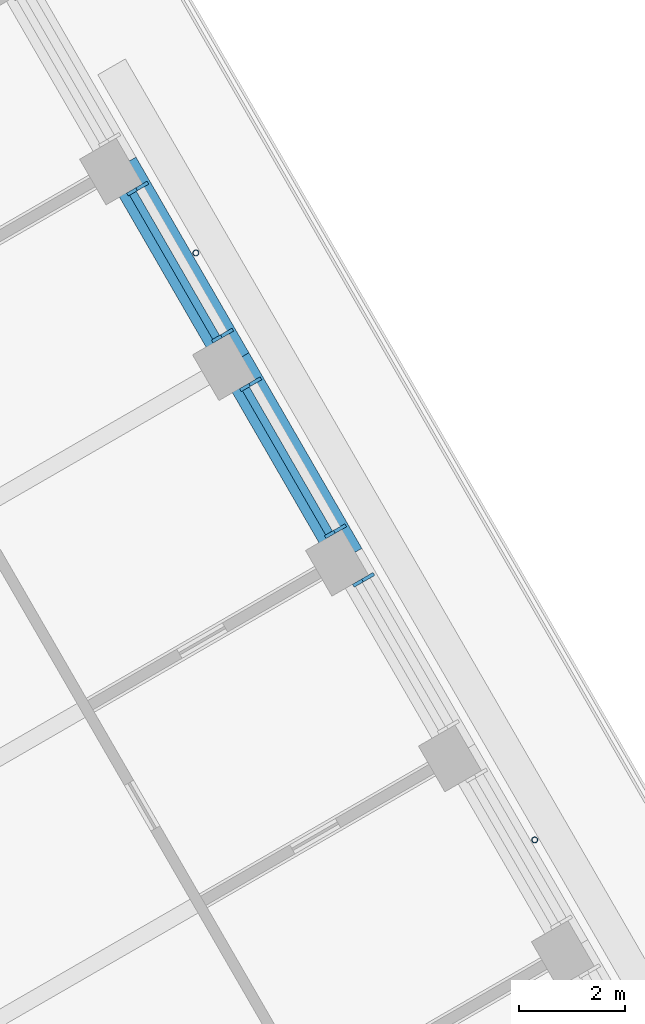
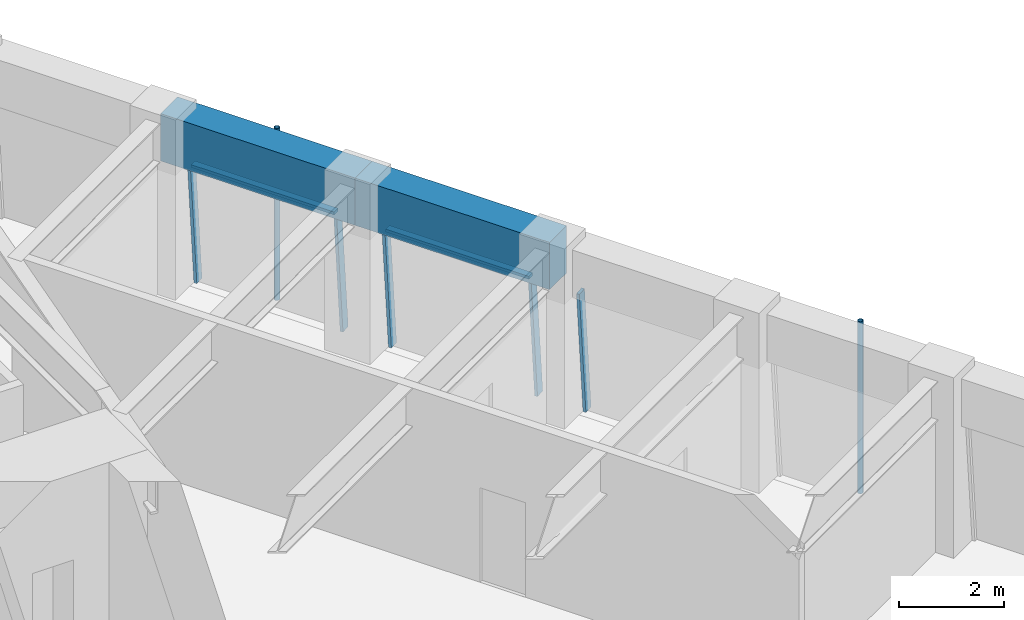
# One storey, part 10 of 19: 9 members, 2 beams, 3 elements without a shape of their own.
"""IFC4 building model written with IfcOpenShell, lengths in metres."""

from ifc_helpers import new_model, si_unit, direction, frame, origin, origin_2d, place, context, subcontext, project, spatial, rectangle, hollow_circle, extrude, material, material_profile, profile_set, type_object, element, aggregate, save


model = new_model("IFC4")

# Units and contexts
model_context = context("Model", 3, precision=1e-05, world=origin(), true_north=direction((0.0, 1.0)))
body_context = subcontext(model_context, "Body", "Model", "MODEL_VIEW")
ifc_project = project(units=[si_unit("LENGTHUNIT", "METRE"), si_unit("AREAUNIT", "SQUARE_METRE"), si_unit("VOLUMEUNIT", "CUBIC_METRE"), si_unit("PLANEANGLEUNIT", "RADIAN"), si_unit("MASSUNIT", "GRAM", prefix="KILO")], contexts=[model_context])

# Site, building, storey
site_placement = place(None, origin())
site = spatial("IfcSite", under=ifc_project, at=site_placement, CompositionType="ELEMENT")
building_placement = place(site_placement, origin())
building = spatial("IfcBuilding", under=site, at=building_placement, Name="Tarfa Lantern Tower", CompositionType="ELEMENT")
storey_placement = place(building_placement, frame((0.0, 0.0, 345.10009765625)))
storey = spatial("IfcBuildingStorey", under=building, at=storey_placement, Name="L78", CompositionType="ELEMENT", Elevation=345.10009765625)

# Curtain wall, member
ifc_material_1 = material(Name="Aluminium framed curtain wall", Category="aluminium")
curtain_wall_type = type_object("IfcCurtainWallType", Name="CW4 CANTED GLAZING EXECUTIVE ZONE 2900", PredefinedType="USERDEFINED", material=ifc_material_1)
curtain_wall_1_placement = place(storey_placement, origin())
curtain_wall_1 = element("IfcCurtainWall", 1, at=curtain_wall_1_placement, inside=storey, type_object=curtain_wall_type, Name="CW4 NE L78", ObjectType="CURTAIN WALL", PredefinedType="USERDEFINED")
ifc_material_2 = material(Name="Aluminium mullion", Category="aluminium")
ifc_material_profile_1 = material_profile(ifc_material_2, rectangle(XDim=0.06494140625, YDim=0.199951171875, at=origin_2d()), Name="AL MULLION 65x200")
ifc_profile_set_1 = profile_set([ifc_material_profile_1], Name="Aluminium mullion")
member_type_1 = type_object("IfcMemberType", Name="CWM1 MULLION 65x200", PredefinedType="MULLION", material=ifc_profile_set_1)
member_1_placement = place(storey_placement, frame((23.345947265625, 12.86376953125, 0.0), z_axis=(-0.074399820079, -0.042945555672, 0.996303340364), x_axis=(0.499919672301, -0.866071776036, 0.0)))
member_1 = element("IfcMember", 2, at=member_1_placement, type_object=member_type_1, Name="CW4 mullion 2", PredefinedType="MULLION", context=body_context, shape_type="SweptSolid", body=[
    extrude(rectangle(XDim=0.06494140625, YDim=0.199951171875, at=origin_2d()), origin(), (0.0, 0.0, 1.0), 2.91064453125),
])
aggregate(curtain_wall_1, [member_1])

# Curtain wall, members
curtain_wall_2_placement = place(storey_placement, origin())
curtain_wall_2 = element("IfcCurtainWall", 3, at=curtain_wall_2_placement, inside=storey, type_object=curtain_wall_type, Name="CW4 NE L78", ObjectType="CURTAIN WALL", PredefinedType="USERDEFINED")
member_2_placement = place(storey_placement, frame((22.813232421875, 13.7861328125, 0.0), z_axis=(-0.074316405553, -0.042945823525, 0.996309554359), x_axis=(0.500342721131, -0.865827443207, 0.0)))
member_2 = element("IfcMember", 4, at=member_2_placement, type_object=member_type_1, Name="CW4 mullion 1", PredefinedType="MULLION", context=body_context, shape_type="SweptSolid", body=[
    extrude(rectangle(XDim=0.06494140625, YDim=0.199951171875, at=origin_2d()), origin(), (0.0, 0.0, 1.0), 2.91064453125),
])
member_3_placement = place(storey_placement, frame((21.204833984375, 16.572265625, 0.0), z_axis=(-0.074399820079, -0.042945555672, 0.996303340364), x_axis=(0.499919672301, -0.866071776036, 0.0)))
member_3 = element("IfcMember", 5, at=member_3_placement, type_object=member_type_1, Name="CW4 mullion 2", PredefinedType="MULLION", context=body_context, shape_type="SweptSolid", body=[
    extrude(rectangle(XDim=0.06494140625, YDim=0.199951171875, at=origin_2d()), origin(), (0.0, 0.0, 1.0), 2.91064453125),
])

curtain_wall_3_placement = place(storey_placement, origin())
curtain_wall_3 = element("IfcCurtainWall", 6, at=curtain_wall_3_placement, inside=storey, type_object=curtain_wall_type, Name="CW4 NE L78", ObjectType="CURTAIN WALL", PredefinedType="USERDEFINED")
member_4_placement = place(storey_placement, frame((20.67236328125, 17.494384765625, 0.0), z_axis=(-0.074399820079, -0.042945555672, 0.996303340364), x_axis=(0.499919672301, -0.866071776036, 0.0)))
member_4 = element("IfcMember", 7, at=member_4_placement, type_object=member_type_1, Name="CW4 mullion 1", PredefinedType="MULLION", context=body_context, shape_type="SweptSolid", body=[
    extrude(rectangle(XDim=0.06494140625, YDim=0.199951171875, at=origin_2d()), origin(), (0.0, 0.0, 1.0), 2.91064453125),
])
member_5_placement = place(storey_placement, frame((19.063720703125, 20.280517578125, 0.0), z_axis=(-0.074316405553, -0.042945823525, 0.996309554359), x_axis=(0.500342721131, -0.865827443207, 0.0)))
member_5 = element("IfcMember", 8, at=member_5_placement, type_object=member_type_1, Name="CW4 mullion 2", PredefinedType="MULLION", context=body_context, shape_type="SweptSolid", body=[
    extrude(rectangle(XDim=0.06494140625, YDim=0.199951171875, at=origin_2d()), origin(), (0.0, 0.0, 1.0), 2.91064453125),
])

# Member
ifc_material_3 = material(Name="Aluminium transom", Category="aluminium")
ifc_material_profile_2 = material_profile(ifc_material_3, rectangle(XDim=0.14990234375, YDim=0.06494140625, at=origin_2d()), Name="AL TRANSOM 150x65")
ifc_profile_set_2 = profile_set([ifc_material_profile_2], Name="Aluminium transom")
member_type_2 = type_object("IfcMemberType", Name="CWT1 TRANSOM 150x65", PredefinedType="USERDEFINED", material=ifc_profile_set_2)
member_6_placement = place(storey_placement, frame((22.5830078125, 13.690673828125, 2.867431640625), z_axis=(-0.499979472441, 0.866037255052, 0.0), x_axis=(-0.866037255052, -0.499979472441, 0.0)))
member_6 = element("IfcMember", 9, at=member_6_placement, type_object=member_type_2, Name="CW4 transom 1.2", ObjectType="TRANSOM", PredefinedType="USERDEFINED", context=body_context, shape_type="SweptSolid", body=[
    extrude(rectangle(XDim=0.14990234375, YDim=0.06494140625, at=origin_2d()), origin(), (0.0, 0.0, 1.0), 3.152099609375),
])

aggregate(curtain_wall_2, [member_2, member_3, member_6])

member_7_placement = place(storey_placement, frame((20.44189453125, 17.39892578125, 2.867431640625), z_axis=(-0.499979472441, 0.866037255052, 0.0), x_axis=(-0.866037255052, -0.499979472441, 0.0)))
member_7 = element("IfcMember", 10, at=member_7_placement, type_object=member_type_2, Name="CW4 transom 1.2", ObjectType="TRANSOM", PredefinedType="USERDEFINED", context=body_context, shape_type="SweptSolid", body=[
    extrude(rectangle(XDim=0.14990234375, YDim=0.06494140625, at=origin_2d()), origin(), (0.0, 0.0, 1.0), 3.152099609375),
])

aggregate(curtain_wall_3, [member_4, member_5, member_7])

# Beams
ifc_material_4 = material(Name="Concrete C80/95", Category="concrete")
ifc_material_profile_3 = material_profile(ifc_material_4, rectangle(XDim=0.64990234375, YDim=1.10009765625, at=origin_2d()), Name="RC 650x1100")
ifc_profile_set_3 = profile_set([ifc_material_profile_3], Name="Concrete C80/95")
beam_type = type_object("IfcBeamType", Name="EB4 RC 650x1100", PredefinedType="SPANDREL", material=ifc_profile_set_3)
for number, where, z_axis, x_axis, name in (
    (11, (22.923583984375, 13.235107421875, 3.449951171875), (-0.499984039138, 0.866034618596, 0.0), (-0.866034618596, -0.499984039138, 0.0), "Edge beam NE3"),
    (12, (20.78271484375, 16.943359375, 3.449951171875), (-0.500026801138, 0.866009929587, 0.0), (-0.866009929587, -0.500026801138, 0.0), "Edge beam NE4"),
):
    element("IfcBeam", number, at=place(storey_placement, frame(where, z_axis=z_axis, x_axis=x_axis)), inside=storey, type_object=beam_type, Name=name, PredefinedType="SPANDREL", context=body_context, shape_type="SweptSolid", body=[
        extrude(rectangle(XDim=0.64990234375, YDim=1.10009765625, at=origin_2d()), origin(), (0.0, 0.0, 1.0), 4.281982421875),
    ])

# Members
ifc_material_5 = material(Name="Steel S355", Category="steel")
ifc_material_profile_4 = material_profile(ifc_material_5, hollow_circle(Radius=0.05712890625, WallThickness=0.00634765625, at=origin_2d()), Name="CHS114.3x6.3")
ifc_profile_set_4 = profile_set([ifc_material_profile_4], Name="Steel S355")
member_type_3 = type_object("IfcMemberType", Name="TR1 GREEN WALL TRELLIS CHS114.3x6.3", PredefinedType="USERDEFINED", material=ifc_profile_set_4)
for number, where, z_axis, x_axis, name in (
    (13, (26.481689453125, 7.87255859375, 0.0), (0.0, 0.0, 1.0), (1.0, 0.0, 0.0), "Trellis post NE 1"),
    (14, (20.05859375, 18.99755859375, 0.0), (0.0, 0.0, 1.0), (1.0, 0.0, 0.0), "Trellis post NE 2"),
):
    element("IfcMember", number, at=place(storey_placement, frame(where, z_axis=z_axis, x_axis=x_axis)), inside=storey, type_object=member_type_3, Name=name, ObjectType="TRELLIS", PredefinedType="USERDEFINED", context=body_context, shape_type="SweptSolid", body=[
        extrude(hollow_circle(Radius=0.05712890625, WallThickness=0.00634765625, at=origin_2d()), origin(), (0.0, 0.0, 1.0), 4.0),
    ])

save(model, "model.ifc")
